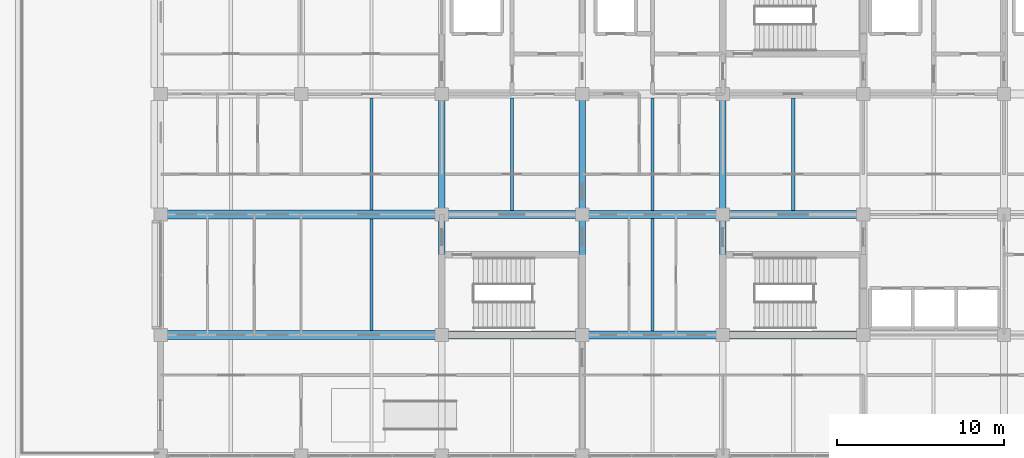
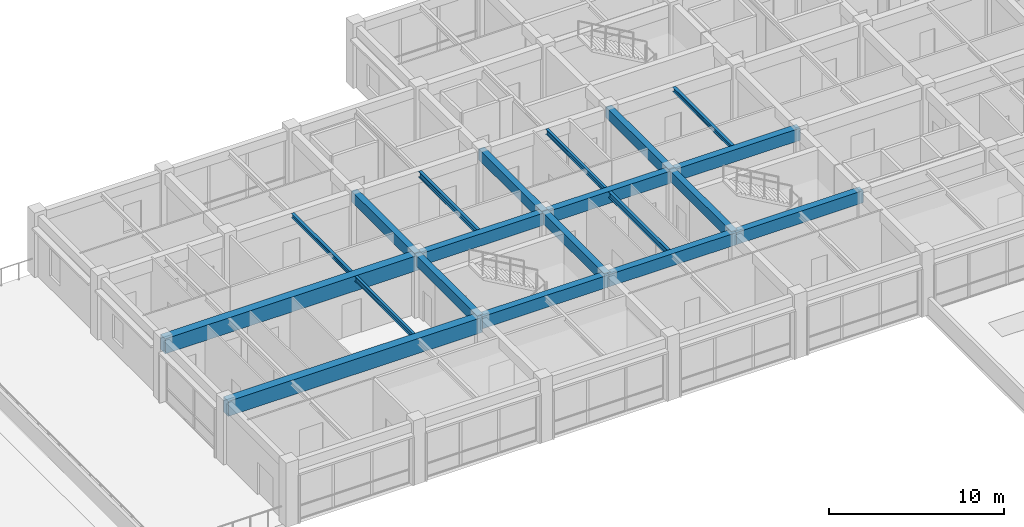
# One storey, part 4 of 40: 20 beams.
"""IFC4 building model written with IfcOpenShell, lengths in metres."""

from ifc_helpers import new_model, si_unit, direction, frame, origin, origin_2d, place, context, subcontext, project, spatial, rectangle, i_section, extrude, material, material_profile, profile_set, type_object, element, save


model = new_model("IFC4")

# Units and contexts
model_context = context("Model", 3, precision=1e-05, world=origin(), true_north=direction((0.0, 1.0)))
body_context = subcontext(model_context, "Body", "Model", "MODEL_VIEW")
ifc_project = project(units=[si_unit("LENGTHUNIT", "METRE"), si_unit("AREAUNIT", "SQUARE_METRE"), si_unit("VOLUMEUNIT", "CUBIC_METRE"), si_unit("PLANEANGLEUNIT", "RADIAN"), si_unit("MASSUNIT", "GRAM", prefix="KILO")], contexts=[model_context])

# Site, building, storey
site_placement = place(None, origin())
site = spatial("IfcSite", under=ifc_project, at=site_placement, CompositionType="ELEMENT")
building_placement = place(site_placement, origin())
building = spatial("IfcBuilding", under=site, at=building_placement, Name="Chengyuan Square Courthouse", CompositionType="ELEMENT")
storey_placement = place(building_placement, frame((0.0, 0.0, 21.60009765625)))
storey = spatial("IfcBuildingStorey", under=building, at=storey_placement, Name="L05", CompositionType="ELEMENT", Elevation=21.60009765625)

# Beams
ifc_material_1 = material(Name="Concrete C40", Category="concrete")
ifc_material_profile_1 = material_profile(ifc_material_1, rectangle(XDim=0.449951171875, YDim=0.85009765625, at=origin_2d()), Name="RC-BM-450x850")
ifc_profile_set_1 = profile_set([ifc_material_profile_1], Name="Concrete C40")
beam_type_1 = type_object("IfcBeamType", Name="BM-01", PredefinedType="USERDEFINED", material=ifc_profile_set_1)
beam_1_placement = place(storey_placement, frame((42.0, 86.39990234375, 3.81494140625), z_axis=(1.0, 0.0, 0.0), x_axis=(0.0, 1.0, 0.0)))
element("IfcBeam", 1, at=beam_1_placement, inside=storey, type_object=beam_type_1, Name="Girder BM-L05-3210", ObjectType="GIRDER", PredefinedType="USERDEFINED", context=body_context, shape_type="SweptSolid", body=[
    extrude(rectangle(XDim=0.449951171875, YDim=0.85009765625, at=origin_2d()), origin(), (0.0, 0.0, 1.0), 8.39990234375),
])
beam_2_placement = place(storey_placement, frame((50.39990234375, 86.39990234375, 3.81494140625), z_axis=(1.0, 0.0, 0.0), x_axis=(0.0, 1.0, 0.0)))
element("IfcBeam", 2, at=beam_2_placement, inside=storey, type_object=beam_type_1, Name="Girder BM-L05-3211", ObjectType="GIRDER", PredefinedType="USERDEFINED", context=body_context, shape_type="SweptSolid", body=[
    extrude(rectangle(XDim=0.449951171875, YDim=0.85009765625, at=origin_2d()), origin(), (0.0, 0.0, 1.0), 8.400146484375),
])
for number, where, z_axis, x_axis, name in (
    (3, (58.800048828125, 86.39990234375, 3.81494140625), (1.0, 0.0, 0.0), (0.0, 1.0, 0.0), "Girder BM-L05-3212"),
    (4, (42.0, 93.60009765625, 3.81494140625), (1.0, 0.0, 0.0), (0.0, 1.0, 0.0), "Girder BM-L05-3222"),
):
    element("IfcBeam", number, at=place(storey_placement, frame(where, z_axis=z_axis, x_axis=x_axis)), inside=storey, type_object=beam_type_1, Name=name, ObjectType="GIRDER", PredefinedType="USERDEFINED", context=body_context, shape_type="SweptSolid", body=[
        extrude(rectangle(XDim=0.449951171875, YDim=0.85009765625, at=origin_2d()), origin(), (0.0, 0.0, 1.0), 8.39990234375),
    ])
beam_3_placement = place(storey_placement, frame((50.39990234375, 93.60009765625, 3.81494140625), z_axis=(1.0, 0.0, 0.0), x_axis=(0.0, 1.0, 0.0)))
element("IfcBeam", 5, at=beam_3_placement, inside=storey, type_object=beam_type_1, Name="Girder BM-L05-3223", ObjectType="GIRDER", PredefinedType="USERDEFINED", context=body_context, shape_type="SweptSolid", body=[
    extrude(rectangle(XDim=0.449951171875, YDim=0.85009765625, at=origin_2d()), origin(), (0.0, 0.0, 1.0), 8.400146484375),
])
beam_4_placement = place(storey_placement, frame((58.800048828125, 93.60009765625, 3.81494140625), z_axis=(1.0, 0.0, 0.0), x_axis=(0.0, 1.0, 0.0)))
element("IfcBeam", 6, at=beam_4_placement, inside=storey, type_object=beam_type_1, Name="Girder BM-L05-3224", ObjectType="GIRDER", PredefinedType="USERDEFINED", context=body_context, shape_type="SweptSolid", body=[
    extrude(rectangle(XDim=0.449951171875, YDim=0.85009765625, at=origin_2d()), origin(), (0.0, 0.0, 1.0), 8.39990234375),
])
ifc_material_profile_2 = material_profile(ifc_material_1, rectangle(XDim=0.39990234375, YDim=0.75, at=origin_2d()), Name="RC-BM-400x750")
ifc_profile_set_2 = profile_set([ifc_material_profile_2], Name="Concrete C40")
beam_type_2 = type_object("IfcBeamType", Name="BM-02", PredefinedType="USERDEFINED", material=ifc_profile_set_2)
beam_5_placement = place(storey_placement, frame((42.0, 86.39990234375, 3.864990234375), z_axis=(0.0, 1.0, 0.0), x_axis=(-1.0, 0.0, 0.0)))
element("IfcBeam", 7, at=beam_5_placement, inside=storey, type_object=beam_type_2, Name="Girder BM-L05-3275", ObjectType="GIRDER", PredefinedType="USERDEFINED", context=body_context, shape_type="SweptSolid", body=[
    extrude(rectangle(XDim=0.39990234375, YDim=0.75, at=origin_2d()), origin(), (0.0, 0.0, 1.0), 7.2001953125),
])
beam_6_placement = place(storey_placement, frame((42.0, 93.60009765625, 3.864990234375), z_axis=(0.0, 1.0, 0.0), x_axis=(-1.0, 0.0, 0.0)))
element("IfcBeam", 8, at=beam_6_placement, inside=storey, type_object=beam_type_2, Name="Girder BM-L05-3276", ObjectType="GIRDER", PredefinedType="USERDEFINED", context=body_context, shape_type="SweptSolid", body=[
    extrude(rectangle(XDim=0.39990234375, YDim=0.75, at=origin_2d()), origin(), (0.0, 0.0, 1.0), 7.199951171875),
])
beam_7_placement = place(storey_placement, frame((50.39990234375, 86.39990234375, 3.864990234375), z_axis=(0.0, 1.0, 0.0), x_axis=(-1.0, 0.0, 0.0)))
element("IfcBeam", 9, at=beam_7_placement, inside=storey, type_object=beam_type_2, Name="Girder BM-L05-3279", ObjectType="GIRDER", PredefinedType="USERDEFINED", context=body_context, shape_type="SweptSolid", body=[
    extrude(rectangle(XDim=0.39990234375, YDim=0.75, at=origin_2d()), origin(), (0.0, 0.0, 1.0), 7.2001953125),
])
beam_8_placement = place(storey_placement, frame((50.39990234375, 93.60009765625, 3.864990234375), z_axis=(0.0, 1.0, 0.0), x_axis=(-1.0, 0.0, 0.0)))
element("IfcBeam", 10, at=beam_8_placement, inside=storey, type_object=beam_type_2, Name="Girder BM-L05-3280", ObjectType="GIRDER", PredefinedType="USERDEFINED", context=body_context, shape_type="SweptSolid", body=[
    extrude(rectangle(XDim=0.39990234375, YDim=0.75, at=origin_2d()), origin(), (0.0, 0.0, 1.0), 7.199951171875),
])
beam_9_placement = place(storey_placement, frame((58.800048828125, 86.39990234375, 3.864990234375), z_axis=(0.0, 1.0, 0.0), x_axis=(-1.0, 0.0, 0.0)))
element("IfcBeam", 11, at=beam_9_placement, inside=storey, type_object=beam_type_2, Name="Girder BM-L05-3284", ObjectType="GIRDER", PredefinedType="USERDEFINED", context=body_context, shape_type="SweptSolid", body=[
    extrude(rectangle(XDim=0.39990234375, YDim=0.75, at=origin_2d()), origin(), (0.0, 0.0, 1.0), 7.2001953125),
])
beam_10_placement = place(storey_placement, frame((58.800048828125, 93.60009765625, 3.864990234375), z_axis=(0.0, 1.0, 0.0), x_axis=(-1.0, 0.0, 0.0)))
element("IfcBeam", 12, at=beam_10_placement, inside=storey, type_object=beam_type_2, Name="Girder BM-L05-3285", ObjectType="GIRDER", PredefinedType="USERDEFINED", context=body_context, shape_type="SweptSolid", body=[
    extrude(rectangle(XDim=0.39990234375, YDim=0.75, at=origin_2d()), origin(), (0.0, 0.0, 1.0), 7.199951171875),
])
ifc_material_2 = material(Name="Steel Q355B", Category="steel")
ifc_material_profile_3 = material_profile(ifc_material_2, i_section(OverallWidth=0.199951171875, OverallDepth=0.39990234375, WebThickness=0.008056640625, FlangeThickness=0.012939453125, at=origin_2d()), Name="HN 400x200x8x13")
ifc_profile_set_3 = profile_set([ifc_material_profile_3], Name="Steel Q355B")
beam_type_3 = type_object("IfcBeamType", Name="BM-07", PredefinedType="BEAM", material=ifc_profile_set_3)
for number, where, z_axis, x_axis, name in (
    (13, (46.199951171875, 93.824951171875, 4.039794921875), (0.0, 1.0, 0.0), (-1.0, 0.0, 0.0), "Secondary Floor Beam SBM-L05-3341"),
    (14, (54.60009765625, 86.625, 4.039794921875), (0.0, 1.0, 0.0), (-1.0, 0.0, 0.0), "Secondary Floor Beam SBM-L05-3344"),
):
    element("IfcBeam", number, at=place(storey_placement, frame(where, z_axis=z_axis, x_axis=x_axis)), inside=storey, type_object=beam_type_3, Name=name, PredefinedType="BEAM", context=body_context, shape_type="SweptSolid", body=[
        extrude(i_section(OverallWidth=0.199951171875, OverallDepth=0.39990234375, WebThickness=0.008056640625, FlangeThickness=0.012939453125, at=origin_2d()), origin(), (0.0, 0.0, 1.0), 6.75),
    ])
ifc_material_profile_4 = material_profile(ifc_material_2, i_section(OverallWidth=0.175048828125, OverallDepth=0.35009765625, WebThickness=0.007080078125, FlangeThickness=0.010986328125, at=origin_2d()), Name="HN 350x175x7x11")
ifc_profile_set_4 = profile_set([ifc_material_profile_4], Name="Steel Q355B")
beam_type_4 = type_object("IfcBeamType", Name="BM-08", PredefinedType="BEAM", material=ifc_profile_set_4)
beam_11_placement = place(storey_placement, frame((37.800048828125, 86.675048828125, 4.06494140625), z_axis=(0.0, 1.0, 0.0), x_axis=(-1.0, 0.0, 0.0)))
element("IfcBeam", 15, at=beam_11_placement, inside=storey, type_object=beam_type_4, Name="Secondary Floor Beam SBM-L05-3337", PredefinedType="BEAM", context=body_context, shape_type="SweptSolid", body=[
    extrude(i_section(OverallWidth=0.175048828125, OverallDepth=0.35009765625, WebThickness=0.007080078125, FlangeThickness=0.010986328125, at=origin_2d()), origin(), (0.0, 0.0, 1.0), 6.64990234375),
])
beam_12_placement = place(storey_placement, frame((54.60009765625, 93.824951171875, 4.06494140625), z_axis=(0.0, 1.0, 0.0), x_axis=(-1.0, 0.0, 0.0)))
element("IfcBeam", 16, at=beam_12_placement, inside=storey, type_object=beam_type_4, Name="Secondary Floor Beam SBM-L05-3345", PredefinedType="BEAM", context=body_context, shape_type="SweptSolid", body=[
    extrude(i_section(OverallWidth=0.175048828125, OverallDepth=0.35009765625, WebThickness=0.007080078125, FlangeThickness=0.010986328125, at=origin_2d()), origin(), (0.0, 0.0, 1.0), 6.75),
])
ifc_material_profile_5 = material_profile(ifc_material_2, i_section(OverallWidth=0.199951171875, OverallDepth=0.300048828125, WebThickness=0.008056640625, FlangeThickness=0.011962890625, at=origin_2d()), Name="HM 300x200x8x12")
ifc_profile_set_5 = profile_set([ifc_material_profile_5], Name="Steel Q355B")
beam_type_5 = type_object("IfcBeamType", Name="BM-09", PredefinedType="BEAM", material=ifc_profile_set_5)
beam_13_placement = place(storey_placement, frame((37.800048828125, 93.875, 4.08984375), z_axis=(0.0, 1.0, 0.0), x_axis=(-1.0, 0.0, 0.0)))
element("IfcBeam", 17, at=beam_13_placement, inside=storey, type_object=beam_type_5, Name="Secondary Floor Beam SBM-L05-3338", PredefinedType="BEAM", context=body_context, shape_type="SweptSolid", body=[
    extrude(i_section(OverallWidth=0.199951171875, OverallDepth=0.300048828125, WebThickness=0.008056640625, FlangeThickness=0.011962890625, at=origin_2d()), origin(), (0.0, 0.0, 1.0), 6.699951171875),
])
beam_14_placement = place(storey_placement, frame((63.0, 93.824951171875, 4.08984375), z_axis=(0.0, 1.0, 0.0), x_axis=(-1.0, 0.0, 0.0)))
element("IfcBeam", 18, at=beam_14_placement, inside=storey, type_object=beam_type_5, Name="Secondary Floor Beam SBM-L05-3349", PredefinedType="BEAM", context=body_context, shape_type="SweptSolid", body=[
    extrude(i_section(OverallWidth=0.199951171875, OverallDepth=0.300048828125, WebThickness=0.008056640625, FlangeThickness=0.011962890625, at=origin_2d()), origin(), (0.0, 0.0, 1.0), 6.75),
])
ifc_material_3 = material(Name="Post-tensioned Concrete C50", Category="concrete")
ifc_material_profile_6 = material_profile(ifc_material_3, rectangle(XDim=0.550048828125, YDim=1.050048828125, at=origin_2d()), Name="PT-BM-550x1050")
ifc_profile_set_6 = profile_set([ifc_material_profile_6], Name="Post-tensioned Concrete C50")
beam_type_6 = type_object("IfcBeamType", Name="PT-01", PredefinedType="USERDEFINED", material=ifc_profile_set_6)
for number, where, z_axis, x_axis, name in (
    (19, (25.199951171875, 86.39990234375, 3.71484375), (1.0, 0.0, 0.0), (0.0, 1.0, 0.0), "Girder BM-L05-3209"),
    (20, (25.199951171875, 93.60009765625, 3.71484375), (1.0, 0.0, 0.0), (0.0, 1.0, 0.0), "Girder BM-L05-3221"),
):
    element("IfcBeam", number, at=place(storey_placement, frame(where, z_axis=z_axis, x_axis=x_axis)), inside=storey, type_object=beam_type_6, Name=name, ObjectType="GIRDER", PredefinedType="USERDEFINED", context=body_context, shape_type="SweptSolid", body=[
        extrude(rectangle(XDim=0.550048828125, YDim=1.050048828125, at=origin_2d()), origin(), (0.0, 0.0, 1.0), 16.800048828125),
    ])

save(model, "model.ifc")
